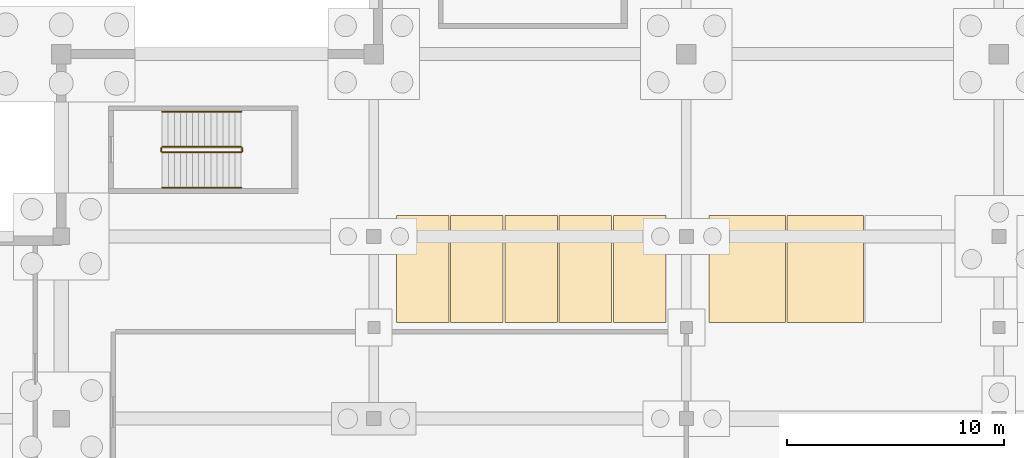
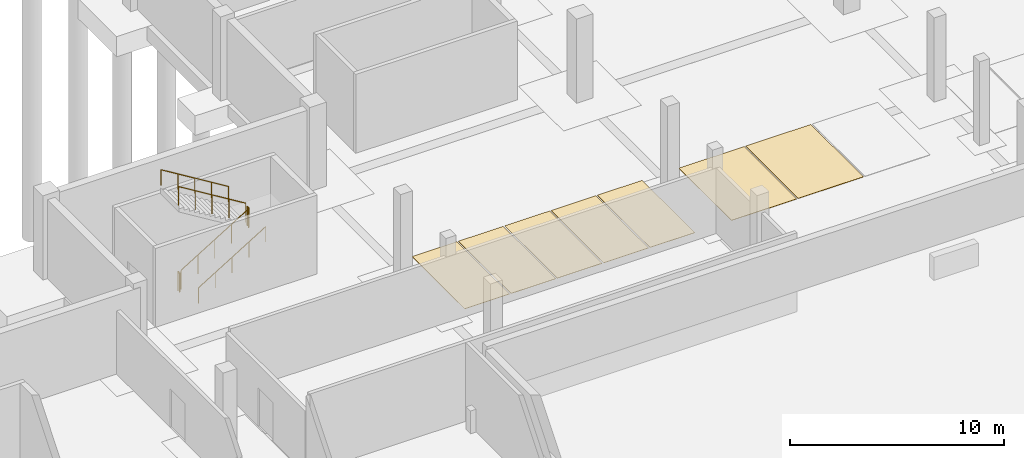
# One storey, part 21 of 26: 7 coverings, 6 railings.
"""IFC4 building model written with IfcOpenShell, lengths in metres."""

from ifc_helpers import new_model, si_unit, direction, frame, origin, origin_2d, place, context, subcontext, project, spatial, polyline, circle, outline, extrude, material, layer, layer_set, type_object, element, save


model = new_model("IFC4")

# Units and contexts
model_context = context("Model", 3, precision=1e-05, world=origin(), true_north=direction((0.0, 1.0)))
body_context = subcontext(model_context, "Body", "Model", "MODEL_VIEW")
ifc_project = project(units=[si_unit("LENGTHUNIT", "METRE"), si_unit("AREAUNIT", "SQUARE_METRE"), si_unit("VOLUMEUNIT", "CUBIC_METRE"), si_unit("PLANEANGLEUNIT", "RADIAN"), si_unit("MASSUNIT", "GRAM", prefix="KILO"), si_unit("THERMODYNAMICTEMPERATUREUNIT", "KELVIN")], contexts=[model_context])

# Site, building, storey
site_placement = place(None, origin())
site = spatial("IfcSite", under=ifc_project, at=site_placement, CompositionType="ELEMENT")
building_placement = place(site_placement, origin())
building = spatial("IfcBuilding", under=site, at=building_placement, Name="Nduvali Passage Aquatics Centre", CompositionType="ELEMENT")
storey_placement = place(building_placement, frame((0.0, 0.0, -4.800048828125)))
storey = spatial("IfcBuildingStorey", under=building, at=storey_placement, Name="B01", CompositionType="ELEMENT", Elevation=-4.800048828125)

# Coverings
ifc_material_1 = material(Name="Epoxy-painted accessible bay marking")
ifc_layer_1 = layer(ifc_material_1, 0.02197265625, Name="Epoxy-painted accessible bay marking")
ifc_layer_set_1 = layer_set([ifc_layer_1], Name="Epoxy-painted accessible bay marking")
covering_type_1 = type_object("IfcCoveringType", Name="INT-COV-PKACC", PredefinedType="USERDEFINED", material=ifc_layer_set_1)
covering_1_placement = place(storey_placement, origin())
element("IfcCovering", 1, at=covering_1_placement, inside=storey, type_object=covering_type_1, Name="B01 Accessible Parking Bay 01 (B01-AP01)", ObjectType="PARKING BAY", PredefinedType="USERDEFINED", context=body_context, shape_type="SweptSolid", body=[
    extrude(outline(polyline([(55.0400390625, 80.0400390625), (58.56005859375, 80.0400390625), (58.56005859375, 84.9599609375), (55.0400390625, 84.9599609375), (55.0400390625, 80.0400390625)])), origin(), (0.0, 0.0, 1.0), 0.02197265625),
])
covering_2_placement = place(storey_placement, origin())
element("IfcCovering", 2, at=covering_2_placement, inside=storey, type_object=covering_type_1, Name="B01 Accessible Parking Bay 02 (B01-AP02)", ObjectType="PARKING BAY", PredefinedType="USERDEFINED", context=body_context, shape_type="SweptSolid", body=[
    extrude(outline(polyline([(58.639892578125, 80.0400390625), (62.159912109375, 80.0400390625), (62.159912109375, 84.9599609375), (58.639892578125, 84.9599609375), (58.639892578125, 80.0400390625)])), origin(), (0.0, 0.0, 1.0), 0.02197265625),
])
ifc_material_2 = material(Name="Epoxy-painted concrete bay marking", Category="concrete")
ifc_layer_2 = layer(ifc_material_2, 0.02001953125, Name="Epoxy-painted concrete bay marking")
ifc_layer_set_2 = layer_set([ifc_layer_2], Name="Epoxy-painted concrete bay marking")
covering_type_2 = type_object("IfcCoveringType", Name="INT-COV-PKSTD", PredefinedType="USERDEFINED", material=ifc_layer_set_2)
covering_3_placement = place(storey_placement, origin())
element("IfcCovering", 3, at=covering_3_placement, inside=storey, type_object=covering_type_2, Name="B01 Parking Bay 01 (B01-PK01)", ObjectType="PARKING BAY", PredefinedType="USERDEFINED", context=body_context, shape_type="SweptSolid", body=[
    extrude(outline(polyline([(40.639892578125, 80.0400390625), (43.06005859375, 80.0400390625), (43.06005859375, 84.9599609375), (40.639892578125, 84.9599609375), (40.639892578125, 80.0400390625)])), origin(), (0.0, 0.0, 1.0), 0.02001953125),
])
covering_4_placement = place(storey_placement, origin())
element("IfcCovering", 4, at=covering_4_placement, inside=storey, type_object=covering_type_2, Name="B01 Parking Bay 02 (B01-PK02)", ObjectType="PARKING BAY", PredefinedType="USERDEFINED", context=body_context, shape_type="SweptSolid", body=[
    extrude(outline(polyline([(43.139892578125, 80.0400390625), (45.56005859375, 80.0400390625), (45.56005859375, 84.9599609375), (43.139892578125, 84.9599609375), (43.139892578125, 80.0400390625)])), origin(), (0.0, 0.0, 1.0), 0.02001953125),
])
covering_5_placement = place(storey_placement, origin())
element("IfcCovering", 5, at=covering_5_placement, inside=storey, type_object=covering_type_2, Name="B01 Parking Bay 03 (B01-PK03)", ObjectType="PARKING BAY", PredefinedType="USERDEFINED", context=body_context, shape_type="SweptSolid", body=[
    extrude(outline(polyline([(45.639892578125, 80.0400390625), (48.06005859375, 80.0400390625), (48.06005859375, 84.9599609375), (45.639892578125, 84.9599609375), (45.639892578125, 80.0400390625)])), origin(), (0.0, 0.0, 1.0), 0.02001953125),
])
covering_6_placement = place(storey_placement, origin())
element("IfcCovering", 6, at=covering_6_placement, inside=storey, type_object=covering_type_2, Name="B01 Parking Bay 04 (B01-PK04)", ObjectType="PARKING BAY", PredefinedType="USERDEFINED", context=body_context, shape_type="SweptSolid", body=[
    extrude(outline(polyline([(48.139892578125, 80.0400390625), (50.56005859375, 80.0400390625), (50.56005859375, 84.9599609375), (48.139892578125, 84.9599609375), (48.139892578125, 80.0400390625)])), origin(), (0.0, 0.0, 1.0), 0.02001953125),
])
covering_7_placement = place(storey_placement, origin())
element("IfcCovering", 7, at=covering_7_placement, inside=storey, type_object=covering_type_2, Name="B01 Parking Bay 05 (B01-PK05)", ObjectType="PARKING BAY", PredefinedType="USERDEFINED", context=body_context, shape_type="SweptSolid", body=[
    extrude(outline(polyline([(50.639892578125, 80.0400390625), (53.06005859375, 80.0400390625), (53.06005859375, 84.9599609375), (50.639892578125, 84.9599609375), (50.639892578125, 80.0400390625)])), origin(), (0.0, 0.0, 1.0), 0.02001953125),
])

# Railings
ifc_material_3 = material(Name="Stainless steel balustrade", Category="steel")
railing_type_1 = type_object("IfcRailingType", Name="INT-RLG-GRD110", PredefinedType="GUARDRAIL", material=ifc_material_3)
railing_1_placement = place(storey_placement, frame((29.85009765625, 87.8701171875, 0.17138671875)))
element("IfcRailing", 8, at=railing_1_placement, inside=storey, type_object=railing_type_1, Name="B01 ST10 stair guard 1", PredefinedType="GUARDRAIL", context=body_context, shape_type="SweptSolid", body=[
    extrude(circle(Radius=0.02392578125, at=origin_2d()), frame((0.0, 0.0, 1.076171875), z_axis=(0.852824790078, 0.0, 0.522197163366), x_axis=(0.0, 1.0, 0.0)), (0.0, 0.0, 1.0), 4.26806640625),
    extrude(circle(Radius=0.02099609375, at=origin_2d()), origin(), (0.0, 0.0, 1.0), 1.052001953125),
    extrude(circle(Radius=0.02099609375, at=origin_2d()), frame((0.909912109375, 0.0, 0.55712890625)), (0.0, 0.0, 1.0), 1.052001953125),
    extrude(circle(Radius=0.02099609375, at=origin_2d()), frame((1.81982421875, 0.0, 1.1142578125)), (0.0, 0.0, 1.0), 1.052001953125),
    extrude(circle(Radius=0.02099609375, at=origin_2d()), frame((2.72998046875, 0.0, 1.671630859375)), (0.0, 0.0, 1.0), 1.052001953125),
    extrude(circle(Radius=0.02099609375, at=origin_2d()), frame((3.639892578125, 0.0, 2.228759765625)), (0.0, 0.0, 1.0), 1.052001953125),
])
railing_2_placement = place(storey_placement, frame((33.5400390625, 87.919921875, 2.400146484375)))
element("IfcRailing", 9, at=railing_2_placement, inside=storey, type_object=railing_type_1, Name="B01 ST10 stair guard 2", PredefinedType="GUARDRAIL", context=body_context, shape_type="SweptSolid", body=[
    extrude(circle(Radius=0.02392578125, at=origin_2d()), frame((0.0, 0.0, 1.076171875), z_axis=(0.0, 1.0, 0.0), x_axis=(-1.0, 0.0, 0.0)), (0.0, 0.0, 1.0), 0.150146484375),
    extrude(circle(Radius=0.02099609375, at=origin_2d()), origin(), (0.0, 0.0, 1.0), 1.052001953125),
    extrude(circle(Radius=0.02099609375, at=origin_2d()), frame((0.0, 0.150146484375, 0.0)), (0.0, 0.0, 1.0), 1.052001953125),
])
railing_3_placement = place(storey_placement, frame((33.489990234375, 88.1201171875, 2.571533203125)))
element("IfcRailing", 10, at=railing_3_placement, inside=storey, type_object=railing_type_1, Name="B01 ST10 stair guard 3", PredefinedType="GUARDRAIL", context=body_context, shape_type="SweptSolid", body=[
    extrude(circle(Radius=0.02392578125, at=origin_2d()), frame((0.0, 0.0, 1.076171875), z_axis=(-0.852850264322, 0.0, 0.5221555579), x_axis=(0.0, -1.0, 0.0)), (0.0, 0.0, 1.0), 4.267822265625),
    extrude(circle(Radius=0.02099609375, at=origin_2d()), origin(), (0.0, 0.0, 1.0), 1.052001953125),
    extrude(circle(Radius=0.02099609375, at=origin_2d()), frame((-0.909912109375, 0.0, 0.55712890625)), (0.0, 0.0, 1.0), 1.052001953125),
    extrude(circle(Radius=0.02099609375, at=origin_2d()), frame((-1.81982421875, 0.0, 1.1142578125)), (0.0, 0.0, 1.0), 1.052001953125),
    extrude(circle(Radius=0.02099609375, at=origin_2d()), frame((-2.72998046875, 0.0, 1.67138671875)), (0.0, 0.0, 1.0), 1.052001953125),
    extrude(circle(Radius=0.02099609375, at=origin_2d()), frame((-3.639892578125, 0.0, 2.228515625)), (0.0, 0.0, 1.0), 1.052001953125),
])
railing_4_placement = place(storey_placement, frame((29.800048828125, 87.919921875, 0.0)))
element("IfcRailing", 11, at=railing_4_placement, inside=storey, type_object=railing_type_1, Name="B01 ST10 stair guard 4", PredefinedType="GUARDRAIL", context=body_context, shape_type="SweptSolid", body=[
    extrude(circle(Radius=0.02392578125, at=origin_2d()), frame((0.0, 0.0, 1.076171875), z_axis=(0.0, 1.0, 0.0), x_axis=(-1.0, 0.0, 0.0)), (0.0, 0.0, 1.0), 0.150146484375),
    extrude(circle(Radius=0.02099609375, at=origin_2d()), origin(), (0.0, 0.0, 1.0), 1.052001953125),
    extrude(circle(Radius=0.02099609375, at=origin_2d()), frame((0.0, 0.150146484375, 0.0)), (0.0, 0.0, 1.0), 1.052001953125),
])
railing_type_2 = type_object("IfcRailingType", Name="INT-RLG-HND90", PredefinedType="HANDRAIL", material=ifc_material_3)
railing_5_placement = place(storey_placement, frame((29.85009765625, 86.25, 0.346435546875)))
element("IfcRailing", 12, at=railing_5_placement, inside=storey, type_object=railing_type_2, Name="B01 ST10 stair handrail 1", PredefinedType="HANDRAIL", context=body_context, shape_type="SweptSolid", body=[
    extrude(circle(Radius=0.02392578125, at=origin_2d()), frame((0.0, 0.0, 0.8759765625), z_axis=(0.852850264322, 0.0, 0.5221555579), x_axis=(0.0, 1.0, 0.0)), (0.0, 0.0, 1.0), 4.267822265625),
    extrude(circle(Radius=0.02099609375, at=origin_2d()), origin(), (0.0, 0.0, 1.0), 0.851806640625),
    extrude(circle(Radius=0.02099609375, at=origin_2d()), frame((0.909912109375, 0.0, 0.55712890625)), (0.0, 0.0, 1.0), 0.851806640625),
    extrude(circle(Radius=0.02099609375, at=origin_2d()), frame((1.81982421875, 0.0, 1.1142578125)), (0.0, 0.0, 1.0), 0.851806640625),
    extrude(circle(Radius=0.02099609375, at=origin_2d()), frame((2.72998046875, 0.0, 1.67138671875)), (0.0, 0.0, 1.0), 0.851806640625),
    extrude(circle(Radius=0.02099609375, at=origin_2d()), frame((3.639892578125, 0.0, 2.228515625)), (0.0, 0.0, 1.0), 0.851806640625),
])
railing_6_placement = place(storey_placement, frame((33.489990234375, 89.739990234375, 2.746337890625)))
element("IfcRailing", 13, at=railing_6_placement, inside=storey, type_object=railing_type_2, Name="B01 ST10 stair handrail 2", PredefinedType="HANDRAIL", context=body_context, shape_type="SweptSolid", body=[
    extrude(circle(Radius=0.02392578125, at=origin_2d()), frame((0.0, 0.0, 0.8759765625), z_axis=(-0.852824790078, 0.0, 0.522197163366), x_axis=(0.0, -1.0, 0.0)), (0.0, 0.0, 1.0), 4.26806640625),
    extrude(circle(Radius=0.02099609375, at=origin_2d()), origin(), (0.0, 0.0, 1.0), 0.851806640625),
    extrude(circle(Radius=0.02099609375, at=origin_2d()), frame((-0.909912109375, 0.0, 0.55712890625)), (0.0, 0.0, 1.0), 0.851806640625),
    extrude(circle(Radius=0.02099609375, at=origin_2d()), frame((-1.81982421875, 0.0, 1.1142578125)), (0.0, 0.0, 1.0), 0.851806640625),
    extrude(circle(Radius=0.02099609375, at=origin_2d()), frame((-2.72998046875, 0.0, 1.671630859375)), (0.0, 0.0, 1.0), 0.851806640625),
    extrude(circle(Radius=0.02099609375, at=origin_2d()), frame((-3.639892578125, 0.0, 2.228759765625)), (0.0, 0.0, 1.0), 0.851806640625),
])

save(model, "model.ifc")
